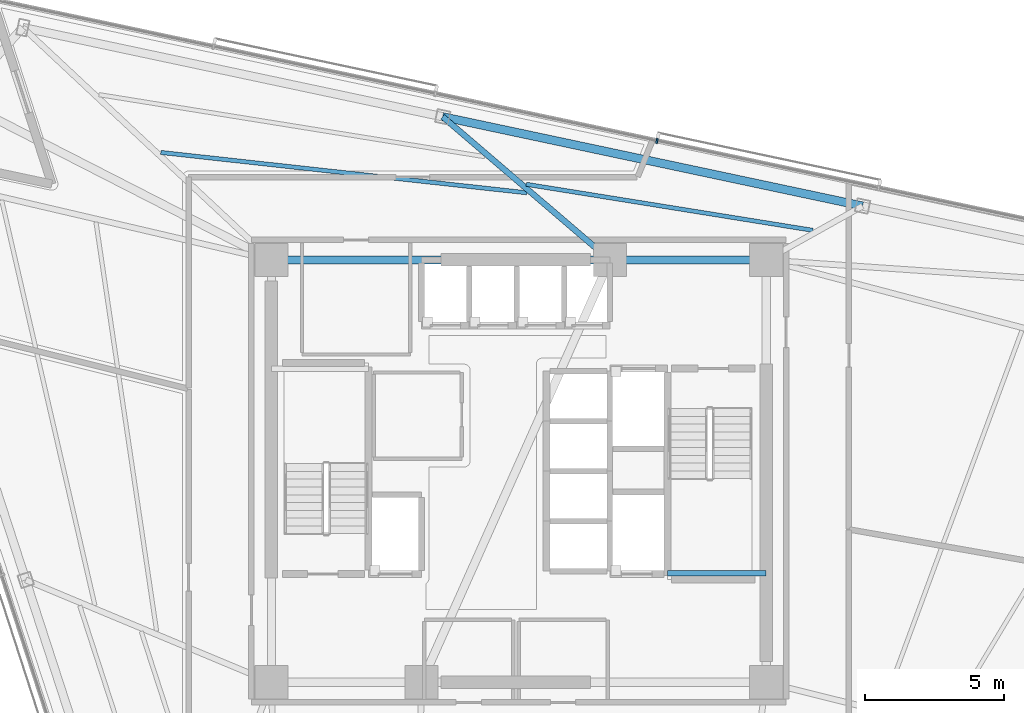
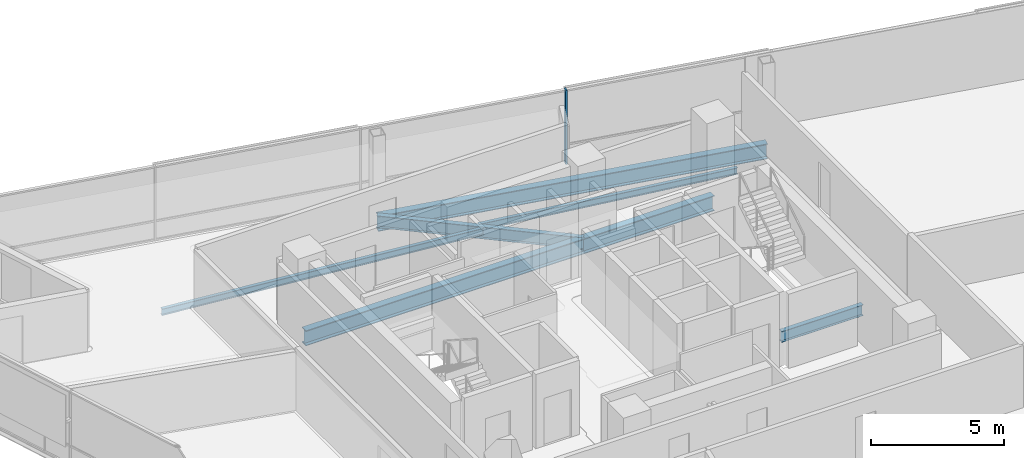
# One storey, part 6 of 16: 7 beams, 1 member, 1 element without a shape of its own.
"""IFC4 building model written with IfcOpenShell, lengths in metres."""

import ifcopenshell
import ifcopenshell.guid

model = None  # the IFC model being written
_history = None  # IfcOwnerHistory: only IFC2X3 demands one
_inside = {}  # id of a spatial element -> (the spatial element, [elements in it])
_under = {}  # id of a project, library or spatial element -> (it, [spatial elements below it])
_declared = {}  # id of a project -> (the project, [libraries it declares])
_typed = {}  # id of a type object -> (the type object, [elements of that type])
_made_of = {}  # id of a material, layer set ... -> (it, [elements and type objects made of it])


def new_model(schema):
    """Start an empty IFC model of exactly this schema.

    Asked for "IFC4X3", IfcOpenShell would pick the latest addendum, in which some entities
    have other attributes; the version numbers below select the first issue.
    IFC2X3 requires an IfcOwnerHistory on every rooted entity: one is made here for all.
    """
    global model, _history
    if schema == "IFC4X3":
        model = ifcopenshell.file(schema_version=(4, 3, 0, 0))
    else:
        model = ifcopenshell.file(schema=schema)
    _inside.clear()
    _under.clear()
    _declared.clear()
    _typed.clear()
    _made_of.clear()
    _history = None
    if model.schema == "IFC2X3":
        org = make("IfcOrganization", Name="unknown")
        user = make(
            "IfcPersonAndOrganization",
            ThePerson=make("IfcPerson", FamilyName="unknown"),
            TheOrganization=org,
        )
        app = make(
            "IfcApplication",
            ApplicationDeveloper=org,
            Version="unknown",
            ApplicationFullName="unknown",
            ApplicationIdentifier="unknown",
        )
        _history = make(
            "IfcOwnerHistory",
            OwningUser=user,
            OwningApplication=app,
            ChangeAction="ADDED",
            CreationDate=0,
        )
    return model


def make(cls, **values):
    """One entity of the class cls with the attributes given. An attribute that is None is left unset."""
    return model.create_entity(
        cls, **{name: value for name, value in values.items() if value is not None}
    )


def rooted(cls, **values):
    """An entity with a GlobalId (a new one), such as an element, a storey or a relation."""
    return make(cls, GlobalId=ifcopenshell.guid.new(), OwnerHistory=_history, **values)


def si_unit(unit_type, name, prefix=None):
    """IfcSIUnit, for example si_unit("LENGTHUNIT", "METRE", prefix="MILLI")."""
    return make("IfcSIUnit", UnitType=unit_type, Prefix=prefix, Name=name)


def assignment(units):
    """IfcUnitAssignment: the units of a project."""
    return None if units is None else make("IfcUnitAssignment", Units=units)


def point(xyz):
    """IfcCartesianPoint."""
    return None if xyz is None else make("IfcCartesianPoint", Coordinates=xyz)


def direction(xyz):
    """IfcDirection."""
    return None if xyz is None else make("IfcDirection", DirectionRatios=xyz)


def frame(location, z_axis=None, x_axis=None):
    """IfcAxis2Placement3D, a coordinate frame: its origin and axes. An axis left out is left unset."""
    return make(
        "IfcAxis2Placement3D",
        Location=point(location),
        Axis=direction(z_axis),
        RefDirection=direction(x_axis),
    )


def frame_2d(location, x_axis=None):
    """IfcAxis2Placement2D, a coordinate frame in the plane: its origin and x axis."""
    return make(
        "IfcAxis2Placement2D", Location=point(location), RefDirection=direction(x_axis)
    )


def origin():
    """The frame at (0, 0, 0) with its axes left unset."""
    return frame((0.0, 0.0, 0.0))


def origin_2d():
    """The frame at (0, 0) in the plane with its x axis left unset."""
    return frame_2d((0.0, 0.0))


def place(relative_to, where):
    """IfcLocalPlacement: puts the frame where relative to a parent placement (None: the world)."""
    return make(
        "IfcLocalPlacement", PlacementRelTo=relative_to, RelativePlacement=where
    )


def context(
    kind, dimensions, precision=None, world=None, true_north=None, identifier=None
):
    """IfcGeometricRepresentationContext, for example the 3D "Model" context."""
    return make(
        "IfcGeometricRepresentationContext",
        ContextIdentifier=identifier,
        ContextType=kind,
        CoordinateSpaceDimension=dimensions,
        Precision=precision,
        WorldCoordinateSystem=world,
        TrueNorth=true_north,
    )


def subcontext(parent, identifier, kind, view, scale=None):
    """IfcGeometricRepresentationSubContext, for example "Body" below "Model"."""
    return make(
        "IfcGeometricRepresentationSubContext",
        ContextIdentifier=identifier,
        ContextType=kind,
        ParentContext=parent,
        TargetScale=scale,
        TargetView=view,
    )


def project(units=None, contexts=None):
    """IfcProject with its units and contexts."""
    return rooted(
        "IfcProject",
        Name="project",
        RepresentationContexts=contexts,
        UnitsInContext=assignment(units),
    )


def spatial(cls, under=None, at=None, **own):
    """A site, building, storey or space (cls), placed at a placement, below another one or the project."""
    s = rooted(cls, ObjectPlacement=at, **own)
    if under is not None:
        _under.setdefault(under.id(), (under, []))[1].append(s)
    return s


def profile(cls, at=None, kind="AREA", **sizes):
    """A parametric profile (cls). Its sizes go by their IFC names, for example OverallWidth=200.0."""
    return make(cls, ProfileType=kind, Position=at, **sizes)


def rectangle(**sizes):
    """IfcRectangleProfileDef."""
    return profile("IfcRectangleProfileDef", **sizes)


def i_section(**sizes):
    """IfcIShapeProfileDef."""
    return profile("IfcIShapeProfileDef", **sizes)


def extrude(swept, where, along, depth):
    """IfcExtrudedAreaSolid: the profile swept, set in the frame where, extruded along a direction by depth."""
    return make(
        "IfcExtrudedAreaSolid",
        SweptArea=swept,
        Position=where,
        ExtrudedDirection=direction(along),
        Depth=depth,
    )


def shape(context_of_items, identifier, shape_type, items):
    """IfcShapeRepresentation: the items that make up one representation, for example the "Body"."""
    return make(
        "IfcShapeRepresentation",
        ContextOfItems=context_of_items,
        RepresentationIdentifier=identifier,
        RepresentationType=shape_type,
        Items=items,
    )


def material(Name=None, Category=None):
    """IfcMaterial."""
    return make("IfcMaterial", Name=Name, Category=Category)


def layer(
    of_material, thickness, ventilated=None, Name=None, Category=None, Priority=None
):
    """IfcMaterialLayer: one layer of a wall or slab, of a material (None: an air gap)."""
    return make(
        "IfcMaterialLayer",
        Material=of_material,
        LayerThickness=thickness,
        IsVentilated=ventilated,
        Name=Name,
        Category=Category,
        Priority=Priority,
    )


def layer_set(layers, Name=None):
    """IfcMaterialLayerSet."""
    return make("IfcMaterialLayerSet", MaterialLayers=layers, LayerSetName=Name)


def material_profile(
    of_material, cross_section, Name=None, Category=None, Priority=None
):
    """IfcMaterialProfile: a cross section and its material."""
    return make(
        "IfcMaterialProfile",
        Name=Name,
        Material=of_material,
        Profile=cross_section,
        Priority=Priority,
        Category=Category,
    )


def profile_set(profiles, Name=None, composite=None):
    """IfcMaterialProfileSet."""
    return make(
        "IfcMaterialProfileSet",
        Name=Name,
        MaterialProfiles=profiles,
        CompositeProfile=composite,
    )


def made_of(thing, what):
    """Note that an element or type object is made of a material, layer set ...; save() writes the relation."""
    if what is not None:
        _made_of.setdefault(what.id(), (what, []))[1].append(thing)
    return thing


def type_object(cls, material=None, **own):
    """A type object (cls), such as IfcWallType, which elements share."""
    return made_of(rooted(cls, **own), material)


def element(
    cls,
    number,
    at=None,
    inside=None,
    cuts=None,
    type_object=None,
    material=None,
    context=None,
    identifier="Body",
    shape_type=None,
    held_by="IfcProductDefinitionShape",
    body=None,
    shapes=None,
    **own,
):
    """One element of the class cls, such as IfcWall. Its Tag is "e" and its number.

    at: its placement. inside: the storey or other place that contains it. cuts: it is an
    opening in that element (IfcRelVoidsElement). A single representation is given by context,
    identifier, shape_type and body (its items); several are given by shapes. held_by: the class
    of the entity that holds the representations. save() writes the other relations.
    """
    e = rooted(cls, Tag="e%d" % number, ObjectPlacement=at, **own)
    if body is not None:
        shapes = [shape(context, identifier, shape_type, body)]
    if shapes is not None:
        e.Representation = make(held_by, Representations=shapes)
    if inside is not None:
        _inside.setdefault(inside.id(), (inside, []))[1].append(e)
    if cuts is not None:
        rooted(
            "IfcRelVoidsElement", RelatingBuildingElement=cuts, RelatedOpeningElement=e
        )
    if type_object is not None:
        _typed.setdefault(type_object.id(), (type_object, []))[1].append(e)
    return made_of(e, material)


def aggregate(whole, parts):
    """IfcRelAggregates: a whole, such as a stair, and the parts it consists of."""
    return rooted("IfcRelAggregates", RelatingObject=whole, RelatedObjects=parts)


def save(model, path):
    """Write the relations noted so far, then the file.

    IfcRelAggregates (storeys below a building ...), IfcRelContainedInSpatialStructure (elements
    in a storey), IfcRelDefinesByType, IfcRelAssociatesMaterial and IfcRelDeclares: one each for
    every whole, place, type object, material and project.
    """
    for whole, parts in _under.values():
        aggregate(whole, parts)
    for where, things in _inside.values():
        rooted(
            "IfcRelContainedInSpatialStructure",
            RelatedElements=things,
            RelatingStructure=where,
        )
    for kind, things in _typed.values():
        rooted("IfcRelDefinesByType", RelatedObjects=things, RelatingType=kind)
    for what, things in _made_of.values():
        rooted("IfcRelAssociatesMaterial", RelatedObjects=things, RelatingMaterial=what)
    for by, libraries in _declared.values():
        rooted("IfcRelDeclares", RelatingContext=by, RelatedDefinitions=libraries)
    model.write(path)


model = new_model("IFC4")

# Units and contexts
model_context = context("Model", 3, precision=1e-05, world=origin(), true_north=direction((0.0, 1.0)))
body_context = subcontext(model_context, "Body", "Model", "MODEL_VIEW")
ifc_project = project(units=[si_unit("LENGTHUNIT", "METRE"), si_unit("AREAUNIT", "SQUARE_METRE"), si_unit("VOLUMEUNIT", "CUBIC_METRE"), si_unit("PLANEANGLEUNIT", "RADIAN"), si_unit("MASSUNIT", "GRAM", prefix="KILO")], contexts=[model_context])

# Site, building, storey
site_placement = place(None, origin())
site = spatial("IfcSite", under=ifc_project, at=site_placement, CompositionType="ELEMENT")
building_placement = place(site_placement, origin())
building = spatial("IfcBuilding", under=site, at=building_placement, Name="Tharavind Bronze Gate", CompositionType="ELEMENT")
storey_placement = place(building_placement, frame((0.0, 0.0, 211.25)))
storey = spatial("IfcBuildingStorey", under=building, at=storey_placement, Name="L54", CompositionType="ELEMENT", Elevation=211.25)

# Curtain wall, member
ifc_material_1 = material(Name="Anodised Bronze Aluminium", Category="aluminium")
ifc_layer = layer(ifc_material_1, 0.219970703125)
ifc_layer_set = layer_set([ifc_layer], Name="Anodised Bronze Aluminium")
curtain_wall_type = type_object("IfcCurtainWallType", Name="UNITISED CURTAIN WALL MID OFFICE", PredefinedType="USERDEFINED", material=ifc_layer_set)
curtain_wall_placement = place(storey_placement, origin())
curtain_wall = element("IfcCurtainWall", 1, at=curtain_wall_placement, inside=storey, type_object=curtain_wall_type, Name="L54 unitised curtain wall mid office CW-L54-S3", ObjectType="UNITISED CURTAIN WALL", PredefinedType="USERDEFINED")
member_type = type_object("IfcMemberType", Name="CURTAIN WALL BRONZE MULLION 65X180", PredefinedType="MULLION", material=ifc_material_1)
member_placement = place(storey_placement, frame((4.97265625, 11.880615234375, 0.0), z_axis=(0.0, 0.0, 1.0), x_axis=(-0.978147600734, 0.207911690818, 0.0)))
member = element("IfcMember", 2, at=member_placement, type_object=member_type, Name="CW-L54-S3 mullion 4", PredefinedType="MULLION", context=body_context, shape_type="SweptSolid", body=[
    extrude(rectangle(XDim=0.06494140625, YDim=0.179931640625, at=origin_2d()), origin(), (0.0, 0.0, 1.0), 3.419921875),
])
aggregate(curtain_wall, [member])

# Beams
ifc_material_2 = material(Name="Steel S355", Category="steel")
ifc_material_profile_1 = material_profile(ifc_material_2, i_section(OverallWidth=0.199951171875, OverallDepth=0.5, WebThickness=0.01025390625, FlangeThickness=0.01611328125, at=origin_2d()), Name="IPE500")
ifc_profile_set_1 = profile_set([ifc_material_profile_1], Name="Steel S355")
beam_type_1 = type_object("IfcBeamType", Name="PRIMARY GIRDER IPE500", PredefinedType="USERDEFINED", material=ifc_profile_set_1)
beam_1_placement = place(storey_placement, frame((5.35009765625, -3.679931640625, 1.35009765625), z_axis=(1.0, 0.0, 0.0), x_axis=(0.0, 1.0, 0.0)))
element("IfcBeam", 3, at=beam_1_placement, inside=storey, type_object=beam_type_1, Name="L54 primary girder ipe500 BM-LD-ST2-L54-1", ObjectType="GIRDER", PredefinedType="USERDEFINED", context=body_context, shape_type="SweptSolid", body=[
    extrude(i_section(OverallWidth=0.199951171875, OverallDepth=0.5, WebThickness=0.01025390625, FlangeThickness=0.01611328125, at=origin_2d()), origin(), (0.0, 0.0, 1.0), 3.5498046875),
])
ifc_material_profile_2 = material_profile(ifc_material_2, i_section(OverallWidth=0.2099609375, OverallDepth=0.550048828125, WebThickness=0.010986328125, FlangeThickness=0.01708984375, at=origin_2d()), Name="IPE550")
ifc_profile_set_2 = profile_set([ifc_material_profile_2], Name="Steel S355")
beam_type_2 = type_object("IfcBeamType", Name="PRIMARY GIRDER IPE550", PredefinedType="USERDEFINED", material=ifc_profile_set_2)
beam_2_placement = place(storey_placement, frame((-2.737060546875, 12.752685546875, -0.455078125), z_axis=(0.75956325699, -0.650433439048, 0.0), x_axis=(0.650433439048, 0.75956325699, 0.0)))
element("IfcBeam", 4, at=beam_2_placement, inside=storey, type_object=beam_type_2, Name="L54 primary girder ipe550 BM-L54-RAD11", ObjectType="GIRDER", PredefinedType="USERDEFINED", context=body_context, shape_type="SweptSolid", body=[
    extrude(i_section(OverallWidth=0.2099609375, OverallDepth=0.550048828125, WebThickness=0.010986328125, FlangeThickness=0.01708984375, at=origin_2d()), origin(), (0.0, 0.0, 1.0), 7.921875),
])
ifc_material_profile_3 = material_profile(ifc_material_2, i_section(OverallWidth=0.300048828125, OverallDepth=0.699951171875, WebThickness=0.01708984375, FlangeThickness=0.031982421875, at=origin_2d()), Name="HE700B")
ifc_profile_set_3 = profile_set([ifc_material_profile_3], Name="Steel S355")
beam_type_3 = type_object("IfcBeamType", Name="RING GIRDER HE700B", PredefinedType="USERDEFINED", material=ifc_profile_set_3)
beam_3_placement = place(storey_placement, frame((8.89990234375, 7.60009765625, -0.530029296875), z_axis=(-1.0, 0.0, 0.0), x_axis=(0.0, -1.0, 0.0)))
element("IfcBeam", 5, at=beam_3_placement, inside=storey, type_object=beam_type_3, Name="L54 ring girder he700b BM-L54-CR4", ObjectType="GIRDER", PredefinedType="USERDEFINED", context=body_context, shape_type="SweptSolid", body=[
    extrude(i_section(OverallWidth=0.300048828125, OverallDepth=0.699951171875, WebThickness=0.01708984375, FlangeThickness=0.031982421875, at=origin_2d()), origin(), (0.0, 0.0, 1.0), 5.619873046875),
])
beam_4_placement = place(storey_placement, frame((3.280029296875, 7.60009765625, -0.530029296875), z_axis=(-1.0, 0.0, 0.0), x_axis=(0.0, -1.0, 0.0)))
element("IfcBeam", 6, at=beam_4_placement, inside=storey, type_object=beam_type_3, Name="L54 ring girder he700b BM-L54-CR5", ObjectType="GIRDER", PredefinedType="USERDEFINED", context=body_context, shape_type="SweptSolid", body=[
    extrude(i_section(OverallWidth=0.300048828125, OverallDepth=0.699951171875, WebThickness=0.01708984375, FlangeThickness=0.031982421875, at=origin_2d()), origin(), (0.0, 0.0, 1.0), 12.179931640625),
])
beam_5_placement = place(storey_placement, frame((12.370849609375, 9.54150390625, -0.530029296875), z_axis=(-0.978148967388, 0.207905261111, 0.0), x_axis=(-0.207905261111, -0.978148967388, 0.0)))
element("IfcBeam", 7, at=beam_5_placement, inside=storey, type_object=beam_type_3, Name="L54 ring girder he700b BM-L54-PRG10", ObjectType="GIRDER", PredefinedType="USERDEFINED", context=body_context, shape_type="SweptSolid", body=[
    extrude(i_section(OverallWidth=0.300048828125, OverallDepth=0.699951171875, WebThickness=0.01708984375, FlangeThickness=0.031982421875, at=origin_2d()), origin(), (0.0, 0.0, 1.0), 15.4453125),
])
ifc_material_profile_4 = material_profile(ifc_material_2, i_section(OverallWidth=0.14990234375, OverallDepth=0.300048828125, WebThickness=0.007080078125, FlangeThickness=0.0107421875, at=origin_2d()), Name="IPE300")
ifc_profile_set_4 = profile_set([ifc_material_profile_4], Name="Steel S355")
beam_type_4 = type_object("IfcBeamType", Name="SECONDARY FLOOR JOIST IPE300", PredefinedType="JOIST", material=ifc_profile_set_4)
beam_6_placement = place(storey_placement, frame((10.585693359375, 8.666015625, -0.330078125), z_axis=(-0.987341344636, 0.158609801627, 0.0), x_axis=(-0.158609801627, -0.987341344636, 0.0)))
element("IfcBeam", 8, at=beam_6_placement, inside=storey, type_object=beam_type_4, Name="L54 secondary floor joist ipe300 BM-L54-JSTA10", PredefinedType="JOIST", context=body_context, shape_type="SweptSolid", body=[
    extrude(i_section(OverallWidth=0.14990234375, OverallDepth=0.300048828125, WebThickness=0.007080078125, FlangeThickness=0.0107421875, at=origin_2d()), origin(), (0.0, 0.0, 1.0), 10.45458984375),
])
beam_7_placement = place(storey_placement, frame((0.292724609375, 10.016845703125, -0.330078125), z_axis=(-0.993975491992, 0.109602560737, 0.0), x_axis=(-0.109602560737, -0.993975491992, 0.0)))
element("IfcBeam", 9, at=beam_7_placement, inside=storey, type_object=beam_type_4, Name="L54 secondary floor joist ipe300 BM-L54-JSTA11", PredefinedType="JOIST", context=body_context, shape_type="SweptSolid", body=[
    extrude(i_section(OverallWidth=0.14990234375, OverallDepth=0.300048828125, WebThickness=0.007080078125, FlangeThickness=0.0107421875, at=origin_2d()), origin(), (0.0, 0.0, 1.0), 13.253662109375),
])

save(model, "model.ifc")
